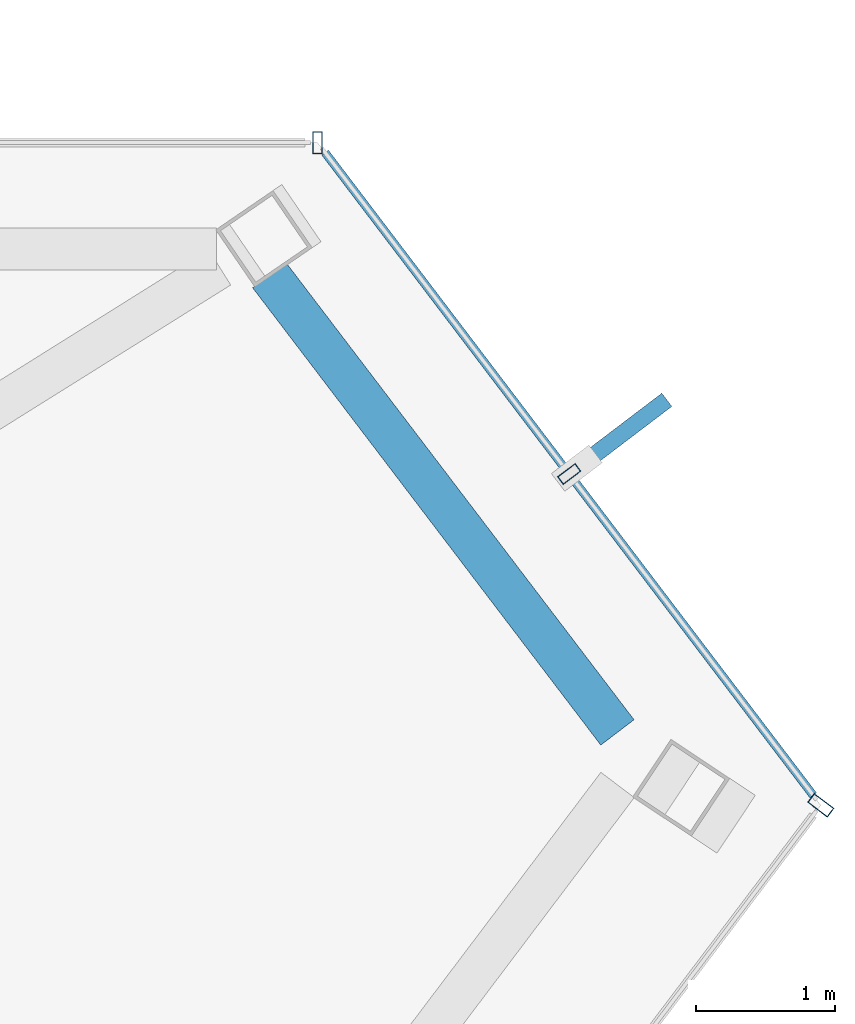
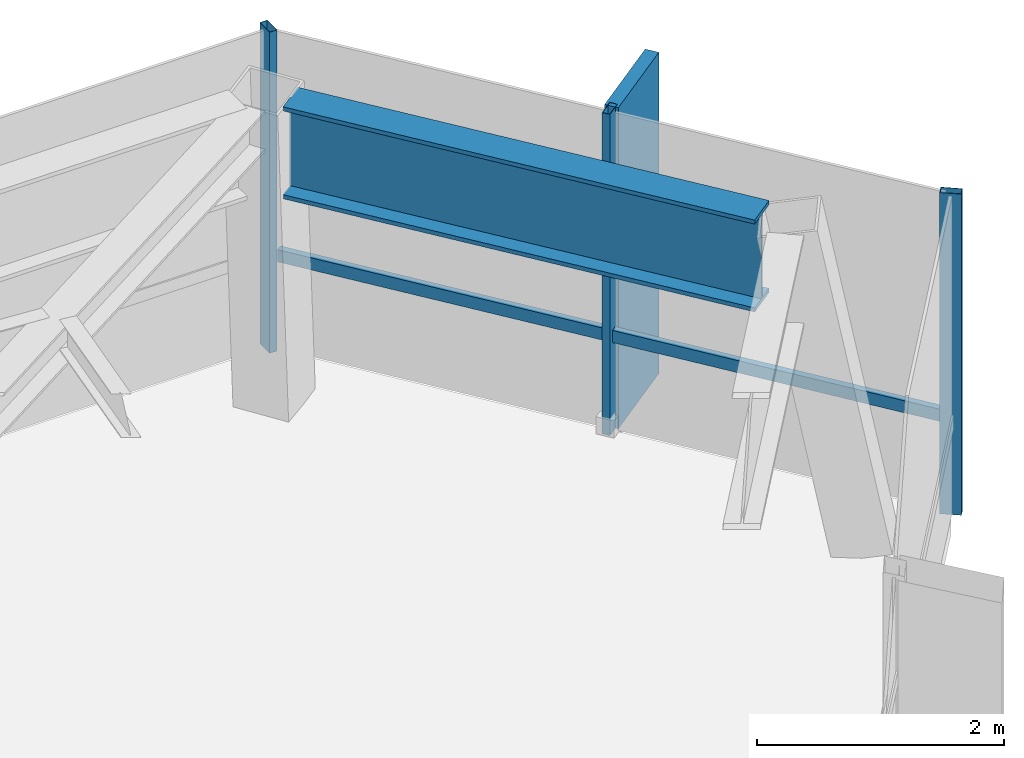
# One storey, part 20 of 25: 5 members, 1 beam, 3 elements without a shape of their own.
"""IFC4 building model written with IfcOpenShell, lengths in metres."""

import ifcopenshell
import ifcopenshell.guid

model = None  # the IFC model being written
_history = None  # IfcOwnerHistory: only IFC2X3 demands one
_inside = {}  # id of a spatial element -> (the spatial element, [elements in it])
_under = {}  # id of a project, library or spatial element -> (it, [spatial elements below it])
_declared = {}  # id of a project -> (the project, [libraries it declares])
_typed = {}  # id of a type object -> (the type object, [elements of that type])
_made_of = {}  # id of a material, layer set ... -> (it, [elements and type objects made of it])


def new_model(schema):
    """Start an empty IFC model of exactly this schema.

    Asked for "IFC4X3", IfcOpenShell would pick the latest addendum, in which some entities
    have other attributes; the version numbers below select the first issue.
    IFC2X3 requires an IfcOwnerHistory on every rooted entity: one is made here for all.
    """
    global model, _history
    if schema == "IFC4X3":
        model = ifcopenshell.file(schema_version=(4, 3, 0, 0))
    else:
        model = ifcopenshell.file(schema=schema)
    _inside.clear()
    _under.clear()
    _declared.clear()
    _typed.clear()
    _made_of.clear()
    _history = None
    if model.schema == "IFC2X3":
        org = make("IfcOrganization", Name="unknown")
        user = make(
            "IfcPersonAndOrganization",
            ThePerson=make("IfcPerson", FamilyName="unknown"),
            TheOrganization=org,
        )
        app = make(
            "IfcApplication",
            ApplicationDeveloper=org,
            Version="unknown",
            ApplicationFullName="unknown",
            ApplicationIdentifier="unknown",
        )
        _history = make(
            "IfcOwnerHistory",
            OwningUser=user,
            OwningApplication=app,
            ChangeAction="ADDED",
            CreationDate=0,
        )
    return model


def make(cls, **values):
    """One entity of the class cls with the attributes given. An attribute that is None is left unset."""
    return model.create_entity(
        cls, **{name: value for name, value in values.items() if value is not None}
    )


def rooted(cls, **values):
    """An entity with a GlobalId (a new one), such as an element, a storey or a relation."""
    return make(cls, GlobalId=ifcopenshell.guid.new(), OwnerHistory=_history, **values)


def si_unit(unit_type, name, prefix=None):
    """IfcSIUnit, for example si_unit("LENGTHUNIT", "METRE", prefix="MILLI")."""
    return make("IfcSIUnit", UnitType=unit_type, Prefix=prefix, Name=name)


def assignment(units):
    """IfcUnitAssignment: the units of a project."""
    return None if units is None else make("IfcUnitAssignment", Units=units)


def point(xyz):
    """IfcCartesianPoint."""
    return None if xyz is None else make("IfcCartesianPoint", Coordinates=xyz)


def direction(xyz):
    """IfcDirection."""
    return None if xyz is None else make("IfcDirection", DirectionRatios=xyz)


def frame(location, z_axis=None, x_axis=None):
    """IfcAxis2Placement3D, a coordinate frame: its origin and axes. An axis left out is left unset."""
    return make(
        "IfcAxis2Placement3D",
        Location=point(location),
        Axis=direction(z_axis),
        RefDirection=direction(x_axis),
    )


def frame_2d(location, x_axis=None):
    """IfcAxis2Placement2D, a coordinate frame in the plane: its origin and x axis."""
    return make(
        "IfcAxis2Placement2D", Location=point(location), RefDirection=direction(x_axis)
    )


def origin():
    """The frame at (0, 0, 0) with its axes left unset."""
    return frame((0.0, 0.0, 0.0))


def origin_2d():
    """The frame at (0, 0) in the plane with its x axis left unset."""
    return frame_2d((0.0, 0.0))


def place(relative_to, where):
    """IfcLocalPlacement: puts the frame where relative to a parent placement (None: the world)."""
    return make(
        "IfcLocalPlacement", PlacementRelTo=relative_to, RelativePlacement=where
    )


def context(
    kind, dimensions, precision=None, world=None, true_north=None, identifier=None
):
    """IfcGeometricRepresentationContext, for example the 3D "Model" context."""
    return make(
        "IfcGeometricRepresentationContext",
        ContextIdentifier=identifier,
        ContextType=kind,
        CoordinateSpaceDimension=dimensions,
        Precision=precision,
        WorldCoordinateSystem=world,
        TrueNorth=true_north,
    )


def subcontext(parent, identifier, kind, view, scale=None):
    """IfcGeometricRepresentationSubContext, for example "Body" below "Model"."""
    return make(
        "IfcGeometricRepresentationSubContext",
        ContextIdentifier=identifier,
        ContextType=kind,
        ParentContext=parent,
        TargetScale=scale,
        TargetView=view,
    )


def project(units=None, contexts=None):
    """IfcProject with its units and contexts."""
    return rooted(
        "IfcProject",
        Name="project",
        RepresentationContexts=contexts,
        UnitsInContext=assignment(units),
    )


def spatial(cls, under=None, at=None, **own):
    """A site, building, storey or space (cls), placed at a placement, below another one or the project."""
    s = rooted(cls, ObjectPlacement=at, **own)
    if under is not None:
        _under.setdefault(under.id(), (under, []))[1].append(s)
    return s


def profile(cls, at=None, kind="AREA", **sizes):
    """A parametric profile (cls). Its sizes go by their IFC names, for example OverallWidth=200.0."""
    return make(cls, ProfileType=kind, Position=at, **sizes)


def rectangle(**sizes):
    """IfcRectangleProfileDef."""
    return profile("IfcRectangleProfileDef", **sizes)


def hollow_rectangle(**sizes):
    """IfcRectangleHollowProfileDef."""
    return profile("IfcRectangleHollowProfileDef", **sizes)


def i_section(**sizes):
    """IfcIShapeProfileDef."""
    return profile("IfcIShapeProfileDef", **sizes)


def extrude(swept, where, along, depth):
    """IfcExtrudedAreaSolid: the profile swept, set in the frame where, extruded along a direction by depth."""
    return make(
        "IfcExtrudedAreaSolid",
        SweptArea=swept,
        Position=where,
        ExtrudedDirection=direction(along),
        Depth=depth,
    )


def shape(context_of_items, identifier, shape_type, items):
    """IfcShapeRepresentation: the items that make up one representation, for example the "Body"."""
    return make(
        "IfcShapeRepresentation",
        ContextOfItems=context_of_items,
        RepresentationIdentifier=identifier,
        RepresentationType=shape_type,
        Items=items,
    )


def material(Name=None, Category=None):
    """IfcMaterial."""
    return make("IfcMaterial", Name=Name, Category=Category)


def layer(
    of_material, thickness, ventilated=None, Name=None, Category=None, Priority=None
):
    """IfcMaterialLayer: one layer of a wall or slab, of a material (None: an air gap)."""
    return make(
        "IfcMaterialLayer",
        Material=of_material,
        LayerThickness=thickness,
        IsVentilated=ventilated,
        Name=Name,
        Category=Category,
        Priority=Priority,
    )


def layer_set(layers, Name=None):
    """IfcMaterialLayerSet."""
    return make("IfcMaterialLayerSet", MaterialLayers=layers, LayerSetName=Name)


def material_profile(
    of_material, cross_section, Name=None, Category=None, Priority=None
):
    """IfcMaterialProfile: a cross section and its material."""
    return make(
        "IfcMaterialProfile",
        Name=Name,
        Material=of_material,
        Profile=cross_section,
        Priority=Priority,
        Category=Category,
    )


def profile_set(profiles, Name=None, composite=None):
    """IfcMaterialProfileSet."""
    return make(
        "IfcMaterialProfileSet",
        Name=Name,
        MaterialProfiles=profiles,
        CompositeProfile=composite,
    )


def made_of(thing, what):
    """Note that an element or type object is made of a material, layer set ...; save() writes the relation."""
    if what is not None:
        _made_of.setdefault(what.id(), (what, []))[1].append(thing)
    return thing


def type_object(cls, material=None, **own):
    """A type object (cls), such as IfcWallType, which elements share."""
    return made_of(rooted(cls, **own), material)


def element(
    cls,
    number,
    at=None,
    inside=None,
    cuts=None,
    type_object=None,
    material=None,
    context=None,
    identifier="Body",
    shape_type=None,
    held_by="IfcProductDefinitionShape",
    body=None,
    shapes=None,
    **own,
):
    """One element of the class cls, such as IfcWall. Its Tag is "e" and its number.

    at: its placement. inside: the storey or other place that contains it. cuts: it is an
    opening in that element (IfcRelVoidsElement). A single representation is given by context,
    identifier, shape_type and body (its items); several are given by shapes. held_by: the class
    of the entity that holds the representations. save() writes the other relations.
    """
    e = rooted(cls, Tag="e%d" % number, ObjectPlacement=at, **own)
    if body is not None:
        shapes = [shape(context, identifier, shape_type, body)]
    if shapes is not None:
        e.Representation = make(held_by, Representations=shapes)
    if inside is not None:
        _inside.setdefault(inside.id(), (inside, []))[1].append(e)
    if cuts is not None:
        rooted(
            "IfcRelVoidsElement", RelatingBuildingElement=cuts, RelatedOpeningElement=e
        )
    if type_object is not None:
        _typed.setdefault(type_object.id(), (type_object, []))[1].append(e)
    return made_of(e, material)


def aggregate(whole, parts):
    """IfcRelAggregates: a whole, such as a stair, and the parts it consists of."""
    return rooted("IfcRelAggregates", RelatingObject=whole, RelatedObjects=parts)


def save(model, path):
    """Write the relations noted so far, then the file.

    IfcRelAggregates (storeys below a building ...), IfcRelContainedInSpatialStructure (elements
    in a storey), IfcRelDefinesByType, IfcRelAssociatesMaterial and IfcRelDeclares: one each for
    every whole, place, type object, material and project.
    """
    for whole, parts in _under.values():
        aggregate(whole, parts)
    for where, things in _inside.values():
        rooted(
            "IfcRelContainedInSpatialStructure",
            RelatedElements=things,
            RelatingStructure=where,
        )
    for kind, things in _typed.values():
        rooted("IfcRelDefinesByType", RelatedObjects=things, RelatingType=kind)
    for what, things in _made_of.values():
        rooted("IfcRelAssociatesMaterial", RelatedObjects=things, RelatingMaterial=what)
    for by, libraries in _declared.values():
        rooted("IfcRelDeclares", RelatingContext=by, RelatedDefinitions=libraries)
    model.write(path)


model = new_model("IFC4")

# Units and contexts
model_context = context("Model", 3, precision=1e-05, world=origin(), true_north=direction((0.0, 1.0)))
body_context = subcontext(model_context, "Body", "Model", "MODEL_VIEW")
ifc_project = project(units=[si_unit("LENGTHUNIT", "METRE"), si_unit("AREAUNIT", "SQUARE_METRE"), si_unit("VOLUMEUNIT", "CUBIC_METRE"), si_unit("PLANEANGLEUNIT", "RADIAN"), si_unit("MASSUNIT", "GRAM", prefix="KILO")], contexts=[model_context])

# Site, building, storey
site_placement = place(None, origin())
site = spatial("IfcSite", under=ifc_project, at=site_placement, CompositionType="ELEMENT")
building_placement = place(site_placement, origin())
building = spatial("IfcBuilding", under=site, at=building_placement, Name="Zarrinselat Tower", CompositionType="ELEMENT")
storey_placement = place(building_placement, frame((0.0, 0.0, 275.39990234375)))
storey = spatial("IfcBuildingStorey", under=building, at=storey_placement, Name="L70", CompositionType="ELEMENT", Elevation=275.39990234375)

# Beam
ifc_material_1 = material(Name="Steel S460M", Category="steel")
ifc_material_profile_1 = material_profile(ifc_material_1, i_section(OverallWidth=0.302001953125, OverallDepth=0.909912109375, WebThickness=0.02099609375, FlangeThickness=0.0400390625, at=origin_2d()), Name="HEM 900")
ifc_profile_set_1 = profile_set([ifc_material_profile_1], Name="Steel S460M")
beam_type = type_object("IfcBeamType", Name="BM-HEM900", PredefinedType="BEAM", material=ifc_profile_set_1)
beam_placement = place(storey_placement, frame((56.777587890625, 46.7939453125, 2.72509765625), z_axis=(0.605738170508, -0.795664042664, 0.0), x_axis=(0.795664042664, 0.605738170508, 0.0)))
element("IfcBeam", 1, at=beam_placement, inside=storey, type_object=beam_type, Name="L70 Perimeter Spandrel Girder SP15", PredefinedType="BEAM", context=body_context, shape_type="SweptSolid", body=[
    extrude(i_section(OverallWidth=0.302001953125, OverallDepth=0.909912109375, WebThickness=0.02099609375, FlangeThickness=0.0400390625, at=origin_2d()), origin(), (0.0, 0.0, 1.0), 4.148193359375),
])

# Curtain wall, member
ifc_material_2 = material(Name="Extruded Aluminium Alloy EN AW-6063 T6", Category="aluminium")
ifc_layer_1 = layer(ifc_material_2, 0.199951171875)
ifc_layer_set_1 = layer_set([ifc_layer_1], Name="Extruded Aluminium Alloy EN AW-6063 T6")
curtain_wall_type_1 = type_object("IfcCurtainWallType", Name="CWS-BLADE", PredefinedType="NOTDEFINED", material=ifc_layer_set_1)
curtain_wall_1_placement = place(storey_placement, origin())
curtain_wall_1 = element("IfcCurtainWall", 2, at=curtain_wall_1_placement, inside=storey, type_object=curtain_wall_type_1, Name="L70 Unitised Curtain Wall CW-L70-E05", PredefinedType="NOTDEFINED")
ifc_material_3 = material(Name="Extruded Aluminium Alloy EN AW-6063 T6", Category="aluminium")
ifc_material_profile_2 = material_profile(ifc_material_3, hollow_rectangle(XDim=0.080078125, YDim=0.179931640625, WallThickness=0.0048828125, at=origin_2d()), Name="RHS 180x80x5")
ifc_profile_set_2 = profile_set([ifc_material_profile_2], Name="Extruded Aluminium Alloy EN AW-6063 T6")
member_type_1 = type_object("IfcMemberType", Name="MEM-CW-MUL", PredefinedType="MULLION", material=ifc_profile_set_2)
member_1_placement = place(storey_placement, frame((60.75830078125, 42.96728515625, 0.0), z_axis=(0.0, 0.0, 1.0), x_axis=(0.603169586453, 0.797612970041, 0.0)))
member_1 = element("IfcMember", 3, at=member_1_placement, type_object=member_type_1, Name="CW-L70-E05 Mullion 10", PredefinedType="MULLION", context=body_context, shape_type="SweptSolid", body=[
    extrude(hollow_rectangle(XDim=0.080078125, YDim=0.179931640625, WallThickness=0.0048828125, at=origin_2d()), origin(), (0.0, 0.0, 1.0), 3.18017578125),
])
aggregate(curtain_wall_1, [member_1])

ifc_material_4 = material(Name="Extruded Aluminium Alloy EN AW-6063 T6", Category="aluminium")
ifc_layer_2 = layer(ifc_material_4, 0.169921875)
ifc_layer_set_2 = layer_set([ifc_layer_2], Name="Extruded Aluminium Alloy EN AW-6063 T6")
curtain_wall_type_2 = type_object("IfcCurtainWallType", Name="CWS-RES", PredefinedType="NOTDEFINED", material=ifc_layer_set_2)
curtain_wall_2_placement = place(storey_placement, origin())
curtain_wall_2 = element("IfcCurtainWall", 4, at=curtain_wall_2_placement, inside=storey, type_object=curtain_wall_type_2, Name="L70 Unitised Curtain Wall CW-L70-E01", PredefinedType="NOTDEFINED")
ifc_material_5 = material(Name="Extruded Aluminium Alloy EN AW-6063 T6", Category="aluminium")
ifc_material_profile_3 = material_profile(ifc_material_5, hollow_rectangle(XDim=0.070068359375, YDim=0.159912109375, WallThickness=0.00390625, at=origin_2d()), Name="RHS 160x70x4")
ifc_profile_set_3 = profile_set([ifc_material_profile_3], Name="Extruded Aluminium Alloy EN AW-6063 T6")
member_type_2 = type_object("IfcMemberType", Name="MEM-CW-MUL2", PredefinedType="MULLION", material=ifc_profile_set_3)
member_2_placement = place(storey_placement, frame((57.126220703125, 47.75, 0.0), z_axis=(0.0, 0.0, 1.0), x_axis=(-1.0, 0.0, 0.0)))
member_2 = element("IfcMember", 5, at=member_2_placement, type_object=member_type_2, Name="CW-L70-E01 Mullion 0", PredefinedType="MULLION", context=body_context, shape_type="SweptSolid", body=[
    extrude(hollow_rectangle(XDim=0.070068359375, YDim=0.159912109375, WallThickness=0.00390625, at=origin_2d()), origin(), (0.0, 0.0, 1.0), 3.18017578125),
])
aggregate(curtain_wall_2, [member_2])

# Curtain wall, members
curtain_wall_3_placement = place(storey_placement, origin())
curtain_wall_3 = element("IfcCurtainWall", 6, at=curtain_wall_3_placement, inside=storey, type_object=curtain_wall_type_2, Name="L70 Unitised Curtain Wall CW-L70-E06", PredefinedType="NOTDEFINED")
member_3_placement = place(storey_placement, frame((58.942138671875, 45.358642578125, 0.0), z_axis=(0.0, 0.0, 1.0), x_axis=(-0.604782197055, 0.796390917907, 0.0)))
member_3 = element("IfcMember", 7, at=member_3_placement, type_object=member_type_2, Name="CW-L70-E06 Mullion 1", PredefinedType="MULLION", context=body_context, shape_type="SweptSolid", body=[
    extrude(hollow_rectangle(XDim=0.070068359375, YDim=0.159912109375, WallThickness=0.00390625, at=origin_2d()), origin(), (0.0, 0.0, 1.0), 3.18017578125),
])
ifc_material_6 = material(Name="Extruded Aluminium Alloy EN AW-6063 T6", Category="aluminium")
ifc_material_profile_4 = material_profile(ifc_material_6, hollow_rectangle(XDim=0.06005859375, YDim=0.1201171875, WallThickness=0.00390625, at=origin_2d()), Name="RHS 120x60x4")
ifc_profile_set_4 = profile_set([ifc_material_profile_4], Name="Extruded Aluminium Alloy EN AW-6063 T6")
member_type_3 = type_object("IfcMemberType", Name="MEM-CW-TRN2", PredefinedType="USERDEFINED", material=ifc_profile_set_4)
member_4_placement = place(storey_placement, frame((60.703857421875, 43.0390625, 0.9501953125), z_axis=(-0.60480375916, 0.796374543105, 0.0), x_axis=(-0.796374543105, -0.60480375916, 0.0)))
member_4 = element("IfcMember", 8, at=member_4_placement, type_object=member_type_3, Name="CW-L70-E06 Transom 1", ObjectType="TRANSOM", PredefinedType="USERDEFINED", context=body_context, shape_type="SweptSolid", body=[
    extrude(hollow_rectangle(XDim=0.06005859375, YDim=0.1201171875, WallThickness=0.00390625, at=origin_2d()), origin(), (0.0, 0.0, 1.0), 5.825439453125),
])
ifc_material_7 = material(Name="Honed Cream Travertine Stone", Category="masonry")
ifc_material_profile_5 = material_profile(ifc_material_7, rectangle(XDim=0.1201171875, YDim=0.85009765625, at=origin_2d()), Name="FIN 850x120")
ifc_profile_set_5 = profile_set([ifc_material_profile_5], Name="Honed Cream Travertine Stone")
member_type_4 = type_object("IfcMemberType", Name="MEM-STONE-FIN", PredefinedType="USERDEFINED", material=ifc_profile_set_5)
member_5_placement = place(storey_placement, frame((59.30859375, 45.63671875, 0.0), z_axis=(0.0, 0.0, 1.0), x_axis=(0.604782197055, -0.796390917907, 0.0)))
member_5 = element("IfcMember", 9, at=member_5_placement, type_object=member_type_4, Name="L70 Stone Shading Fin CW-L70-E06-01", ObjectType="FIN", PredefinedType="USERDEFINED", context=body_context, shape_type="SweptSolid", body=[
    extrude(rectangle(XDim=0.1201171875, YDim=0.85009765625, at=origin_2d()), origin(), (0.0, 0.0, 1.0), 3.18017578125),
])
aggregate(curtain_wall_3, [member_3, member_5, member_4])

save(model, "model.ifc")
